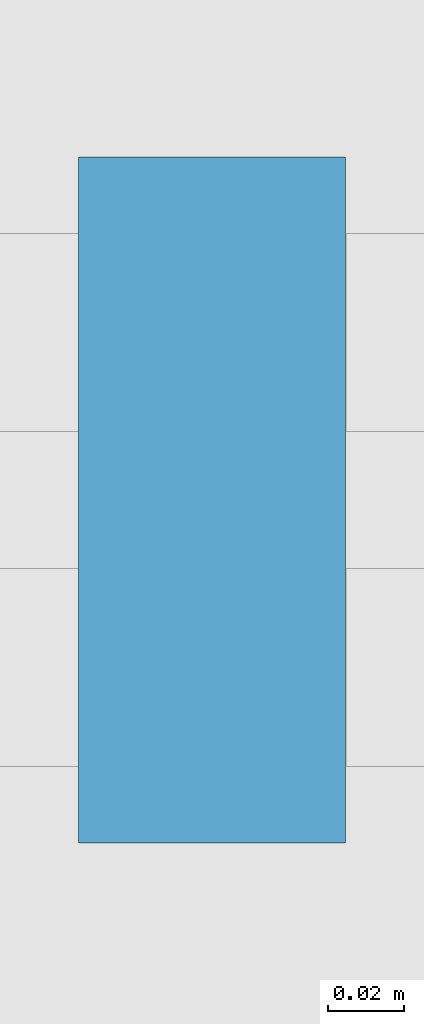
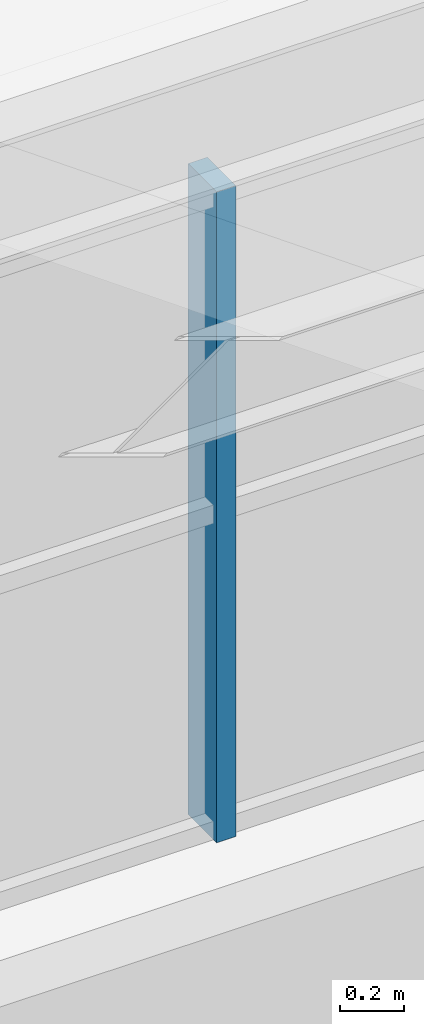
# One storey, part 42 of 92: 1 member, 1 element without a shape of its own.
"""IFC4 building model written with IfcOpenShell, lengths in metres."""

from ifc_helpers import new_model, si_unit, direction, frame, origin, origin_2d, place, context, subcontext, project, spatial, rectangle, extrude, material, material_profile, profile_set, type_object, element, aggregate, save


model = new_model("IFC4")

# Units and contexts
model_context = context("Model", 3, precision=1e-05, world=origin(), true_north=direction((0.0, 1.0)))
body_context = subcontext(model_context, "Body", "Model", "MODEL_VIEW")
ifc_project = project(units=[si_unit("LENGTHUNIT", "METRE"), si_unit("AREAUNIT", "SQUARE_METRE"), si_unit("VOLUMEUNIT", "CUBIC_METRE"), si_unit("PLANEANGLEUNIT", "RADIAN"), si_unit("MASSUNIT", "GRAM", prefix="KILO")], contexts=[model_context])

# Site, building, storey
site_placement = place(None, origin())
site = spatial("IfcSite", under=ifc_project, at=site_placement, CompositionType="ELEMENT")
building_placement = place(site_placement, origin())
building = spatial("IfcBuilding", under=site, at=building_placement, Name="Ciguamira Faculty of Natural Sciences", CompositionType="ELEMENT")
storey_placement = place(building_placement, frame((0.0, 0.0, 16.800048828125)))
storey = spatial("IfcBuildingStorey", under=building, at=storey_placement, Name="L04", CompositionType="ELEMENT", Elevation=16.800048828125)

# Curtain wall, member
ifc_material_1 = material(Name="Anodized aluminium curtain wall", Category="aluminium")
curtain_wall_type = type_object("IfcCurtainWallType", Name="CurtainWall_CW-07", PredefinedType="USERDEFINED", material=ifc_material_1)
curtain_wall_placement = place(storey_placement, origin())
curtain_wall = element("IfcCurtainWall", 1, at=curtain_wall_placement, inside=storey, type_object=curtain_wall_type, Name="V4 north-light wave 5 clerestory glazing 1", ObjectType="UNITISED CURTAIN WALL", PredefinedType="USERDEFINED")
ifc_material_2 = material(Name="Anodized aluminium mullion", Category="aluminium")
ifc_material_profile = material_profile(ifc_material_2, rectangle(XDim=0.070068359375, YDim=0.179931640625, at=origin_2d()), Name="ALU-MUL-70X180")
ifc_profile_set = profile_set([ifc_material_profile], Name="Anodized aluminium mullion")
member_type = type_object("IfcMemberType", Name="CWMullion_CWM-02", PredefinedType="MULLION", material=ifc_profile_set)
member_placement = place(storey_placement, frame((85.91845703125, 80.0, 0.25), z_axis=(0.0, 0.0, 1.0), x_axis=(1.0, 0.0, 0.0)))
member = element("IfcMember", 2, at=member_placement, type_object=member_type, Name="CW-07 mullion 14", PredefinedType="MULLION", context=body_context, shape_type="SweptSolid", body=[
    extrude(rectangle(XDim=0.070068359375, YDim=0.179931640625, at=origin_2d()), origin(), (0.0, 0.0, 1.0), 2.5),
])
aggregate(curtain_wall, [member])

save(model, "model.ifc")
